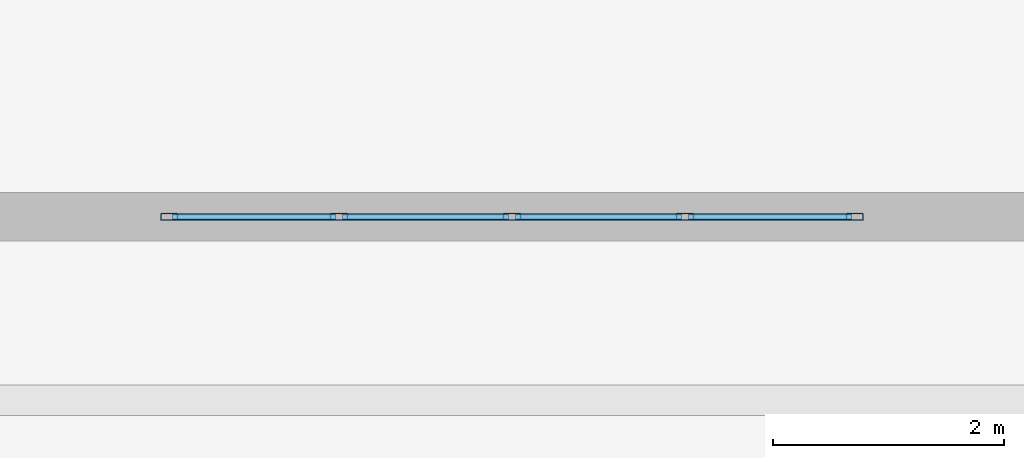
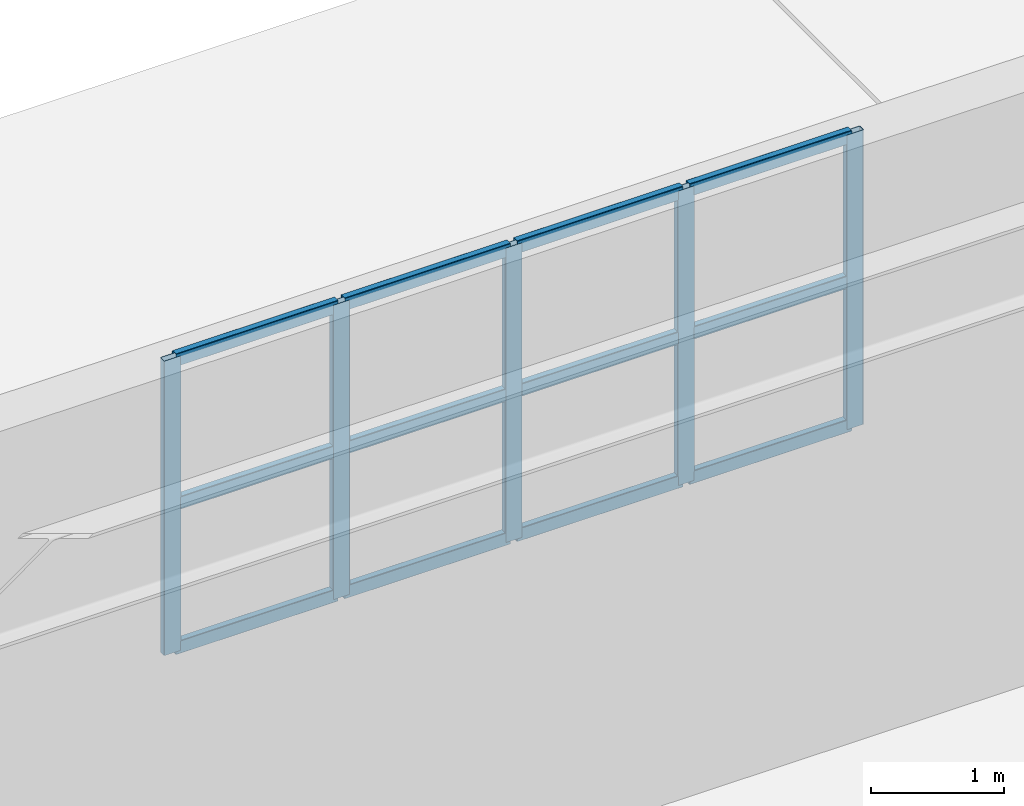
# One storey, part 5 of 18: 17 members, 1 element without a shape of its own.
"""IFC4 building model written with IfcOpenShell, lengths in metres."""

from ifc_helpers import new_model, entity, si_unit, converted_unit, direction, frame, origin_with_axes, origin_2d_with_axis, place, context, subcontext, project, spatial, hollow_rectangle, extrude, material, material_profile, profile_set, type_object, element, aggregate, save


model = new_model("IFC4")

# Units and contexts
model_context = context("Model", 3, precision=1e-05, world=origin_with_axes(), true_north=direction((0.0, 1.0)))
body_context = subcontext(model_context, "Body", "Model", "MODEL_VIEW")
ifc_project = project(units=[si_unit("LENGTHUNIT", "METRE"), si_unit("AREAUNIT", "SQUARE_METRE"), si_unit("VOLUMEUNIT", "CUBIC_METRE"), converted_unit("PLANEANGLEUNIT", "DEGREE", entity("IfcPlaneAngleMeasure", 0.017453292519943295), si_unit("PLANEANGLEUNIT", "RADIAN"), dimensions=[0, 0, 0, 0, 0, 0, 0]), si_unit("MASSUNIT", "GRAM", prefix="KILO"), si_unit("THERMODYNAMICTEMPERATUREUNIT", "KELVIN")], contexts=[model_context])

# Site, building, storey
site_placement = place(None, origin_with_axes())
site = spatial("IfcSite", under=ifc_project, at=site_placement, CompositionType="ELEMENT")
building_placement = place(site_placement, origin_with_axes())
building = spatial("IfcBuilding", under=site, at=building_placement, Name="Varnlund Millrace Tower", CompositionType="ELEMENT")
storey_placement = place(building_placement, origin_with_axes())
storey = spatial("IfcBuildingStorey", under=building, at=storey_placement, Name="L00", CompositionType="ELEMENT", Elevation=0.0)

# Curtain wall, members
ifc_material_1 = material(Name="Thermally broken architectural bronze curtain wall", Category="aluminium")
curtain_wall_type = type_object("IfcCurtainWallType", Name="Type-CW-Sys1-Concourse", PredefinedType="NOTDEFINED", material=ifc_material_1)
curtain_wall_placement = place(storey_placement, frame((58.2, 39.39, 2.75), z_axis=(0.0, 0.0, 1.0), x_axis=(1.0, 0.0, 0.0)))
curtain_wall = element("IfcCurtainWall", 1, at=curtain_wall_placement, inside=storey, type_object=curtain_wall_type, Name="Type-CW-Sys1-Concourse", PredefinedType="NOTDEFINED")
ifc_material_2 = material(Name="Architectural bronze aluminium alloy 6063-T6", Category="aluminium")
ifc_material_profile_1 = material_profile(ifc_material_2, hollow_rectangle(XDim=0.06, YDim=0.15, WallThickness=0.004, InnerFilletRadius=0.004, OuterFilletRadius=0.008, at=origin_2d_with_axis()), Name="Architectural bronze aluminium alloy 6063-T6")
ifc_profile_set_1 = profile_set([ifc_material_profile_1], Name="Architectural bronze aluminium alloy 6063-T6")
member_type_1 = type_object("IfcMemberType", Name="Type-CW-Mullion-60X150", PredefinedType="MULLION", material=ifc_profile_set_1)
member_1_placement = place(storey_placement, frame((58.23, 39.39, 2.75), z_axis=(0.0, 0.0, 1.0), x_axis=(0.0, 1.0, 0.0)))
member_1 = element("IfcMember", 2, at=member_1_placement, type_object=member_type_1, Name="CW-01 mullion 1", PredefinedType="MULLION", context=body_context, shape_type="SweptSolid", body=[
    extrude(hollow_rectangle(XDim=0.06, YDim=0.15, WallThickness=0.004, InnerFilletRadius=0.004, OuterFilletRadius=0.008, at=origin_2d_with_axis()), origin_with_axes(), (0.0, 0.0, 1.0), 2.71),
])
member_2_placement = place(storey_placement, frame((59.7, 39.39, 2.75), z_axis=(0.0, 0.0, 1.0), x_axis=(0.0, 1.0, 0.0)))
member_2 = element("IfcMember", 3, at=member_2_placement, type_object=member_type_1, Name="CW-01 mullion 2", PredefinedType="MULLION", context=body_context, shape_type="SweptSolid", body=[
    extrude(hollow_rectangle(XDim=0.06, YDim=0.15, WallThickness=0.004, InnerFilletRadius=0.004, OuterFilletRadius=0.008, at=origin_2d_with_axis()), origin_with_axes(), (0.0, 0.0, 1.0), 2.71),
])
member_3_placement = place(storey_placement, frame((61.2, 39.39, 2.75), z_axis=(0.0, 0.0, 1.0), x_axis=(0.0, 1.0, 0.0)))
member_3 = element("IfcMember", 4, at=member_3_placement, type_object=member_type_1, Name="CW-01 mullion 3", PredefinedType="MULLION", context=body_context, shape_type="SweptSolid", body=[
    extrude(hollow_rectangle(XDim=0.06, YDim=0.15, WallThickness=0.004, InnerFilletRadius=0.004, OuterFilletRadius=0.008, at=origin_2d_with_axis()), origin_with_axes(), (0.0, 0.0, 1.0), 2.71),
])
member_4_placement = place(storey_placement, frame((62.7, 39.39, 2.75), z_axis=(0.0, 0.0, 1.0), x_axis=(0.0, 1.0, 0.0)))
member_4 = element("IfcMember", 5, at=member_4_placement, type_object=member_type_1, Name="CW-01 mullion 4", PredefinedType="MULLION", context=body_context, shape_type="SweptSolid", body=[
    extrude(hollow_rectangle(XDim=0.06, YDim=0.15, WallThickness=0.004, InnerFilletRadius=0.004, OuterFilletRadius=0.008, at=origin_2d_with_axis()), origin_with_axes(), (0.0, 0.0, 1.0), 2.71),
])
member_5_placement = place(storey_placement, frame((64.17, 39.39, 2.75), z_axis=(0.0, 0.0, 1.0), x_axis=(0.0, 1.0, 0.0)))
member_5 = element("IfcMember", 6, at=member_5_placement, type_object=member_type_1, Name="CW-01 mullion 5", PredefinedType="MULLION", context=body_context, shape_type="SweptSolid", body=[
    extrude(hollow_rectangle(XDim=0.06, YDim=0.15, WallThickness=0.004, InnerFilletRadius=0.004, OuterFilletRadius=0.008, at=origin_2d_with_axis()), origin_with_axes(), (0.0, 0.0, 1.0), 2.71),
])
ifc_material_profile_2 = material_profile(ifc_material_2, hollow_rectangle(XDim=0.06, YDim=0.12, WallThickness=0.004, InnerFilletRadius=0.004, OuterFilletRadius=0.008, at=origin_2d_with_axis()), Name="Architectural bronze aluminium alloy 6063-T6")
ifc_profile_set_2 = profile_set([ifc_material_profile_2], Name="Architectural bronze aluminium alloy 6063-T6")
member_type_2 = type_object("IfcMemberType", Name="Type-CW-Transom-60X120", PredefinedType="USERDEFINED", material=ifc_profile_set_2)
member_6_placement = place(storey_placement, frame((58.26, 39.39, 2.78), z_axis=(1.0, 0.0, 0.0), x_axis=(0.0, 1.0, 0.0)))
member_6 = element("IfcMember", 7, at=member_6_placement, type_object=member_type_2, Name="CW-01 transom 1.1", ObjectType="TRANSOM", PredefinedType="USERDEFINED", context=body_context, shape_type="SweptSolid", body=[
    extrude(hollow_rectangle(XDim=0.06, YDim=0.12, WallThickness=0.004, InnerFilletRadius=0.004, OuterFilletRadius=0.008, at=origin_2d_with_axis()), origin_with_axes(), (0.0, 0.0, 1.0), 1.41),
])
member_7_placement = place(storey_placement, frame((58.26, 39.39, 4.105), z_axis=(1.0, 0.0, 0.0), x_axis=(0.0, 1.0, 0.0)))
member_7 = element("IfcMember", 8, at=member_7_placement, type_object=member_type_2, Name="CW-01 transom 1.2", ObjectType="TRANSOM", PredefinedType="USERDEFINED", context=body_context, shape_type="SweptSolid", body=[
    extrude(hollow_rectangle(XDim=0.06, YDim=0.12, WallThickness=0.004, InnerFilletRadius=0.004, OuterFilletRadius=0.008, at=origin_2d_with_axis()), origin_with_axes(), (0.0, 0.0, 1.0), 1.41),
])
member_8_placement = place(storey_placement, frame((58.26, 39.39, 5.43), z_axis=(1.0, 0.0, 0.0), x_axis=(0.0, 1.0, 0.0)))
member_8 = element("IfcMember", 9, at=member_8_placement, type_object=member_type_2, Name="CW-01 transom 1.3", ObjectType="TRANSOM", PredefinedType="USERDEFINED", context=body_context, shape_type="SweptSolid", body=[
    extrude(hollow_rectangle(XDim=0.06, YDim=0.12, WallThickness=0.004, InnerFilletRadius=0.004, OuterFilletRadius=0.008, at=origin_2d_with_axis()), origin_with_axes(), (0.0, 0.0, 1.0), 1.41),
])
member_9_placement = place(storey_placement, frame((59.73, 39.39, 2.78), z_axis=(1.0, 0.0, 0.0), x_axis=(0.0, 1.0, 0.0)))
member_9 = element("IfcMember", 10, at=member_9_placement, type_object=member_type_2, Name="CW-01 transom 2.1", ObjectType="TRANSOM", PredefinedType="USERDEFINED", context=body_context, shape_type="SweptSolid", body=[
    extrude(hollow_rectangle(XDim=0.06, YDim=0.12, WallThickness=0.004, InnerFilletRadius=0.004, OuterFilletRadius=0.008, at=origin_2d_with_axis()), origin_with_axes(), (0.0, 0.0, 1.0), 1.44),
])
member_10_placement = place(storey_placement, frame((59.73, 39.39, 4.105), z_axis=(1.0, 0.0, 0.0), x_axis=(0.0, 1.0, 0.0)))
member_10 = element("IfcMember", 11, at=member_10_placement, type_object=member_type_2, Name="CW-01 transom 2.2", ObjectType="TRANSOM", PredefinedType="USERDEFINED", context=body_context, shape_type="SweptSolid", body=[
    extrude(hollow_rectangle(XDim=0.06, YDim=0.12, WallThickness=0.004, InnerFilletRadius=0.004, OuterFilletRadius=0.008, at=origin_2d_with_axis()), origin_with_axes(), (0.0, 0.0, 1.0), 1.44),
])
member_11_placement = place(storey_placement, frame((59.73, 39.39, 5.43), z_axis=(1.0, 0.0, 0.0), x_axis=(0.0, 1.0, 0.0)))
member_11 = element("IfcMember", 12, at=member_11_placement, type_object=member_type_2, Name="CW-01 transom 2.3", ObjectType="TRANSOM", PredefinedType="USERDEFINED", context=body_context, shape_type="SweptSolid", body=[
    extrude(hollow_rectangle(XDim=0.06, YDim=0.12, WallThickness=0.004, InnerFilletRadius=0.004, OuterFilletRadius=0.008, at=origin_2d_with_axis()), origin_with_axes(), (0.0, 0.0, 1.0), 1.44),
])
member_12_placement = place(storey_placement, frame((61.23, 39.39, 2.78), z_axis=(1.0, 0.0, 0.0), x_axis=(0.0, 1.0, 0.0)))
member_12 = element("IfcMember", 13, at=member_12_placement, type_object=member_type_2, Name="CW-01 transom 3.1", ObjectType="TRANSOM", PredefinedType="USERDEFINED", context=body_context, shape_type="SweptSolid", body=[
    extrude(hollow_rectangle(XDim=0.06, YDim=0.12, WallThickness=0.004, InnerFilletRadius=0.004, OuterFilletRadius=0.008, at=origin_2d_with_axis()), origin_with_axes(), (0.0, 0.0, 1.0), 1.44),
])
member_13_placement = place(storey_placement, frame((61.23, 39.39, 4.105), z_axis=(1.0, 0.0, 0.0), x_axis=(0.0, 1.0, 0.0)))
member_13 = element("IfcMember", 14, at=member_13_placement, type_object=member_type_2, Name="CW-01 transom 3.2", ObjectType="TRANSOM", PredefinedType="USERDEFINED", context=body_context, shape_type="SweptSolid", body=[
    extrude(hollow_rectangle(XDim=0.06, YDim=0.12, WallThickness=0.004, InnerFilletRadius=0.004, OuterFilletRadius=0.008, at=origin_2d_with_axis()), origin_with_axes(), (0.0, 0.0, 1.0), 1.44),
])
member_14_placement = place(storey_placement, frame((61.23, 39.39, 5.43), z_axis=(1.0, 0.0, 0.0), x_axis=(0.0, 1.0, 0.0)))
member_14 = element("IfcMember", 15, at=member_14_placement, type_object=member_type_2, Name="CW-01 transom 3.3", ObjectType="TRANSOM", PredefinedType="USERDEFINED", context=body_context, shape_type="SweptSolid", body=[
    extrude(hollow_rectangle(XDim=0.06, YDim=0.12, WallThickness=0.004, InnerFilletRadius=0.004, OuterFilletRadius=0.008, at=origin_2d_with_axis()), origin_with_axes(), (0.0, 0.0, 1.0), 1.44),
])
member_15_placement = place(storey_placement, frame((62.73, 39.39, 2.78), z_axis=(1.0, 0.0, 0.0), x_axis=(0.0, 1.0, 0.0)))
member_15 = element("IfcMember", 16, at=member_15_placement, type_object=member_type_2, Name="CW-01 transom 4.1", ObjectType="TRANSOM", PredefinedType="USERDEFINED", context=body_context, shape_type="SweptSolid", body=[
    extrude(hollow_rectangle(XDim=0.06, YDim=0.12, WallThickness=0.004, InnerFilletRadius=0.004, OuterFilletRadius=0.008, at=origin_2d_with_axis()), origin_with_axes(), (0.0, 0.0, 1.0), 1.41),
])
member_16_placement = place(storey_placement, frame((62.73, 39.39, 4.105), z_axis=(1.0, 0.0, 0.0), x_axis=(0.0, 1.0, 0.0)))
member_16 = element("IfcMember", 17, at=member_16_placement, type_object=member_type_2, Name="CW-01 transom 4.2", ObjectType="TRANSOM", PredefinedType="USERDEFINED", context=body_context, shape_type="SweptSolid", body=[
    extrude(hollow_rectangle(XDim=0.06, YDim=0.12, WallThickness=0.004, InnerFilletRadius=0.004, OuterFilletRadius=0.008, at=origin_2d_with_axis()), origin_with_axes(), (0.0, 0.0, 1.0), 1.41),
])
member_17_placement = place(storey_placement, frame((62.73, 39.39, 5.43), z_axis=(1.0, 0.0, 0.0), x_axis=(0.0, 1.0, 0.0)))
member_17 = element("IfcMember", 18, at=member_17_placement, type_object=member_type_2, Name="CW-01 transom 4.3", ObjectType="TRANSOM", PredefinedType="USERDEFINED", context=body_context, shape_type="SweptSolid", body=[
    extrude(hollow_rectangle(XDim=0.06, YDim=0.12, WallThickness=0.004, InnerFilletRadius=0.004, OuterFilletRadius=0.008, at=origin_2d_with_axis()), origin_with_axes(), (0.0, 0.0, 1.0), 1.41),
])
aggregate(curtain_wall, [member_1, member_2, member_3, member_4, member_5, member_6, member_7, member_8, member_9, member_10, member_11, member_12, member_13, member_14, member_15, member_16, member_17])

save(model, "model.ifc")
